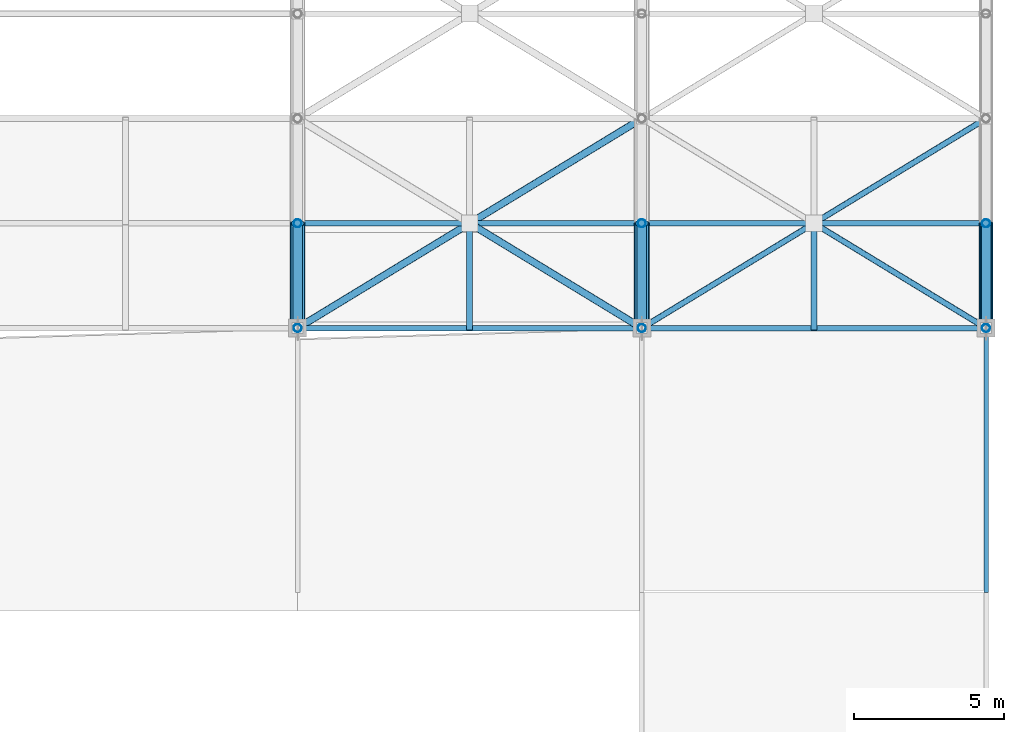
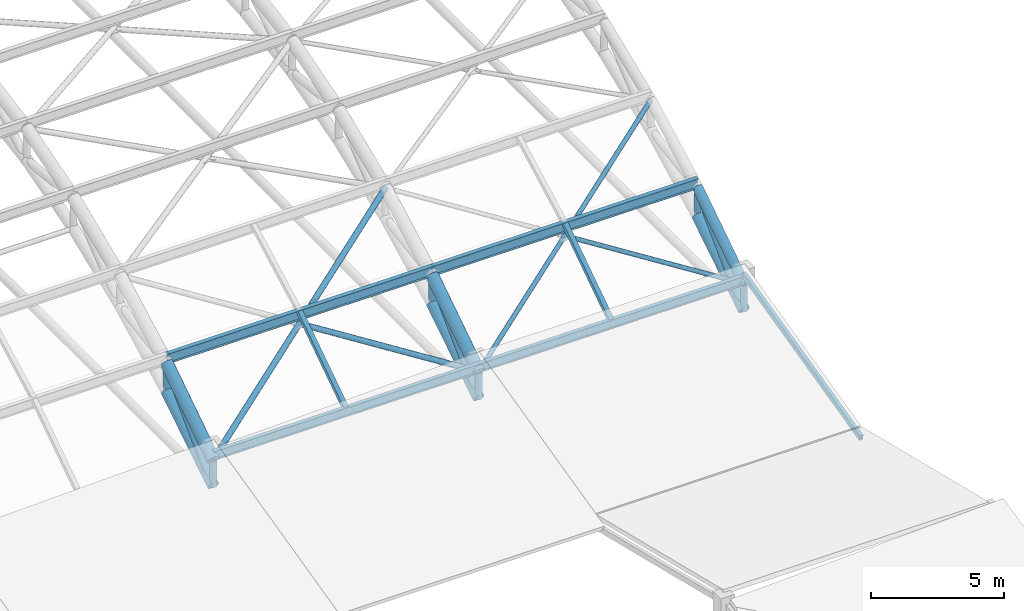
# One storey, part 96 of 154: 26 members.
"""IFC4 building model written with IfcOpenShell, lengths in metres."""

from ifc_helpers import new_model, si_unit, direction, frame, origin, origin_2d, place, context, subcontext, project, spatial, hollow_rectangle, hollow_circle, i_section, extrude, material, material_profile, profile_set, type_object, element, save


model = new_model("IFC4")

# Units and contexts
model_context = context("Model", 3, precision=1e-05, world=origin(), true_north=direction((0.0, 1.0)))
body_context = subcontext(model_context, "Body", "Model", "MODEL_VIEW")
ifc_project = project(units=[si_unit("LENGTHUNIT", "METRE"), si_unit("AREAUNIT", "SQUARE_METRE"), si_unit("VOLUMEUNIT", "CUBIC_METRE"), si_unit("PLANEANGLEUNIT", "RADIAN"), si_unit("MASSUNIT", "GRAM", prefix="KILO")], contexts=[model_context])

# Site, building, storey
site_placement = place(None, origin())
site = spatial("IfcSite", under=ifc_project, at=site_placement, CompositionType="ELEMENT")
building_placement = place(site_placement, origin())
building = spatial("IfcBuilding", under=site, at=building_placement, Name="Ologun Quay Terminus", CompositionType="ELEMENT")
storey_placement = place(building_placement, frame((0.0, 0.0, 13.800048828125)))
storey = spatial("IfcBuildingStorey", under=building, at=storey_placement, Name="L03", CompositionType="ELEMENT", Elevation=13.800048828125)

# Members
ifc_material_1 = material(Name="Steel S355", Category="steel")
ifc_material_profile_1 = material_profile(ifc_material_1, hollow_circle(Radius=0.136474609375, WallThickness=0.010009765625, at=origin_2d()), Name="CHS 273x10")
ifc_profile_set_1 = profile_set([ifc_material_profile_1], Name="Steel S355")
member_type_1 = type_object("IfcMemberType", Name="Arch Truss Vertical Post CHS273", PredefinedType="STRUT", material=ifc_profile_set_1)
member_1_placement = place(storey_placement, frame((161.0, 36.0, 0.0), z_axis=(0.0, 0.0, 1.0), x_axis=(1.0, 0.0, 0.0)))
element("IfcMember", 1, at=member_1_placement, inside=storey, type_object=member_type_1, Name="AW2 Arch Web Post 15-N0", PredefinedType="STRUT", context=body_context, shape_type="SweptSolid", body=[
    extrude(hollow_circle(Radius=0.136474609375, WallThickness=0.010009765625, at=origin_2d()), origin(), (0.0, 0.0, 1.0), 1.199951171875),
])
member_2_placement = place(storey_placement, frame((161.0, 39.5, 2.212158203125), z_axis=(0.0, 0.0, 1.0), x_axis=(1.0, 0.0, 0.0)))
element("IfcMember", 2, at=member_2_placement, inside=storey, type_object=member_type_1, Name="AW2 Arch Web Post 15-N1", PredefinedType="STRUT", context=body_context, shape_type="SweptSolid", body=[
    extrude(hollow_circle(Radius=0.136474609375, WallThickness=0.010009765625, at=origin_2d()), origin(), (0.0, 0.0, 1.0), 1.28564453125),
])
member_3_placement = place(storey_placement, frame((172.5, 36.0, 0.0), z_axis=(0.0, 0.0, 1.0), x_axis=(1.0, 0.0, 0.0)))
element("IfcMember", 3, at=member_3_placement, inside=storey, type_object=member_type_1, Name="AW2 Arch Web Post 16-N0", PredefinedType="STRUT", context=body_context, shape_type="SweptSolid", body=[
    extrude(hollow_circle(Radius=0.136474609375, WallThickness=0.010009765625, at=origin_2d()), origin(), (0.0, 0.0, 1.0), 1.199951171875),
])
member_4_placement = place(storey_placement, frame((172.5, 39.5, 2.212158203125), z_axis=(0.0, 0.0, 1.0), x_axis=(1.0, 0.0, 0.0)))
element("IfcMember", 4, at=member_4_placement, inside=storey, type_object=member_type_1, Name="AW2 Arch Web Post 16-N1", PredefinedType="STRUT", context=body_context, shape_type="SweptSolid", body=[
    extrude(hollow_circle(Radius=0.136474609375, WallThickness=0.010009765625, at=origin_2d()), origin(), (0.0, 0.0, 1.0), 1.28564453125),
])
member_5_placement = place(storey_placement, frame((184.0, 36.0, 0.0), z_axis=(0.0, 0.0, 1.0), x_axis=(1.0, 0.0, 0.0)))
element("IfcMember", 5, at=member_5_placement, inside=storey, type_object=member_type_1, Name="AW2 Arch Web Post 17-N0", PredefinedType="STRUT", context=body_context, shape_type="SweptSolid", body=[
    extrude(hollow_circle(Radius=0.136474609375, WallThickness=0.010009765625, at=origin_2d()), origin(), (0.0, 0.0, 1.0), 1.199951171875),
])
member_6_placement = place(storey_placement, frame((184.0, 39.5, 2.212158203125), z_axis=(0.0, 0.0, 1.0), x_axis=(1.0, 0.0, 0.0)))
element("IfcMember", 6, at=member_6_placement, inside=storey, type_object=member_type_1, Name="AW2 Arch Web Post 17-N1", PredefinedType="STRUT", context=body_context, shape_type="SweptSolid", body=[
    extrude(hollow_circle(Radius=0.136474609375, WallThickness=0.010009765625, at=origin_2d()), origin(), (0.0, 0.0, 1.0), 1.28564453125),
])
ifc_material_2 = material(Name="Steel S355", Category="steel")
ifc_material_profile_2 = material_profile(ifc_material_2, hollow_circle(Radius=0.161865234375, WallThickness=0.010009765625, at=origin_2d()), Name="CHS 323.9x10")
ifc_profile_set_2 = profile_set([ifc_material_profile_2], Name="Steel S355")
member_type_2 = type_object("IfcMemberType", Name="Arch Truss Web Diagonal CHS323", PredefinedType="BRACE", material=ifc_profile_set_2)
for number, where, z_axis, x_axis, name in (
    (7, (161.0, 36.0, 0.0), (0.0, 0.707328773357, 0.706884719301), (-1.0, 0.0, 0.0), "AW1 Arch Web Diagonal 15-P1"),
    (8, (172.5, 36.0, 0.0), (0.0, 0.707328773357, 0.706884719301), (-1.0, 0.0, 0.0), "AW1 Arch Web Diagonal 16-P1"),
    (9, (184.0, 36.0, 0.0), (0.0, 0.707328773357, 0.706884719301), (-1.0, 0.0, 0.0), "AW1 Arch Web Diagonal 17-P1"),
):
    element("IfcMember", number, at=place(storey_placement, frame(where, z_axis=z_axis, x_axis=x_axis)), inside=storey, type_object=member_type_2, Name=name, PredefinedType="BRACE", context=body_context, shape_type="SweptSolid", body=[
        extrude(hollow_circle(Radius=0.161865234375, WallThickness=0.010009765625, at=origin_2d()), origin(), (0.0, 0.0, 1.0), 4.9482421875),
    ])
ifc_material_3 = material(Name="Steel S355", Category="steel")
ifc_material_profile_3 = material_profile(ifc_material_3, hollow_circle(Radius=0.203125, WallThickness=0.012451171875, at=origin_2d()), Name="CHS 406.4x12.5")
ifc_profile_set_3 = profile_set([ifc_material_profile_3], Name="Steel S355")
member_type_3 = type_object("IfcMemberType", Name="Gable End Arch Chord CHS406", PredefinedType="CHORD", material=ifc_profile_set_3)
member_7_placement = place(storey_placement, frame((184.0, 36.0, 1.199951171875), z_axis=(0.0, 0.835940905918, 0.548819461949), x_axis=(-1.0, 0.0, 0.0)))
element("IfcMember", 10, at=member_7_placement, inside=storey, type_object=member_type_3, Name="Arch Top Chord 17-P1", PredefinedType="CHORD", context=body_context, shape_type="SweptSolid", body=[
    extrude(hollow_circle(Radius=0.203125, WallThickness=0.012451171875, at=origin_2d()), origin(), (0.0, 0.0, 1.0), 4.18701171875),
])
ifc_material_4 = material(Name="Steel S355", Category="steel")
ifc_material_profile_4 = material_profile(ifc_material_4, hollow_circle(Radius=0.096923828125, WallThickness=0.00634765625, at=origin_2d()), Name="CHS 193.7x6.3")
ifc_profile_set_4 = profile_set([ifc_material_profile_4], Name="Steel S355")
member_type_4 = type_object("IfcMemberType", Name="Gable Portal Wind Brace CHS193", PredefinedType="BRACE", material=ifc_profile_set_4)
member_8_placement = place(storey_placement, frame((172.5, 36.0, 1.199951171875), z_axis=(0.815821451603, 0.496586970541, 0.296372636715), x_axis=(-0.519946946896, 0.854198555614, 0.0)))
element("IfcMember", 11, at=member_8_placement, inside=storey, type_object=member_type_4, Name="Roof Wind Brace A B16-K0", PredefinedType="BRACE", context=body_context, shape_type="SweptSolid", body=[
    extrude(hollow_circle(Radius=0.096923828125, WallThickness=0.00634765625, at=origin_2d()), origin(), (0.0, 0.0, 1.0), 14.09619140625),
])
member_9_placement = place(storey_placement, frame((178.3642578125, 39.430419921875, 3.247314453125), z_axis=(0.815823185614, -0.496583416265, -0.29637381886), x_axis=(0.51994342513, 0.854200699288, 0.0)))
element("IfcMember", 12, at=member_9_placement, inside=storey, type_object=member_type_4, Name="Roof Wind Brace B2 B16-K0", PredefinedType="BRACE", context=body_context, shape_type="SweptSolid", body=[
    extrude(hollow_circle(Radius=0.096923828125, WallThickness=0.00634765625, at=origin_2d()), origin(), (0.0, 0.0, 1.0), 6.907958984375),
])
ifc_material_5 = material(Name="Steel S355", Category="steel")
ifc_material_profile_5 = material_profile(ifc_material_5, hollow_circle(Radius=0.228515625, WallThickness=0.01611328125, at=origin_2d()), Name="CHS 457x16")
ifc_profile_set_5 = profile_set([ifc_material_profile_5], Name="Steel S355")
member_type_5 = type_object("IfcMemberType", Name="Parabolic Arch Bottom Chord CHS457", PredefinedType="CHORD", material=ifc_profile_set_5)
for number, where, z_axis, x_axis, name in (
    (13, (161.0, 36.0, 0.0), (0.0, 0.845310912611, 0.534274705578), (-1.0, 0.0, 0.0), "AC2 Arch Bottom Chord 15-P1"),
    (14, (172.5, 36.0, 0.0), (0.0, 0.845310912611, 0.534274705578), (-1.0, 0.0, 0.0), "AC2 Arch Bottom Chord 16-P1"),
    (15, (184.0, 36.0, 0.0), (0.0, 0.845310912611, 0.534274705578), (-1.0, 0.0, 0.0), "AC2 Arch Bottom Chord 17-P1"),
):
    element("IfcMember", number, at=place(storey_placement, frame(where, z_axis=z_axis, x_axis=x_axis)), inside=storey, type_object=member_type_5, Name=name, PredefinedType="CHORD", context=body_context, shape_type="SweptSolid", body=[
        extrude(hollow_circle(Radius=0.228515625, WallThickness=0.01611328125, at=origin_2d()), origin(), (0.0, 0.0, 1.0), 4.140380859375),
    ])
ifc_material_6 = material(Name="Steel S355", Category="steel")
ifc_material_profile_6 = material_profile(ifc_material_6, hollow_circle(Radius=0.25390625, WallThickness=0.01611328125, at=origin_2d()), Name="CHS 508x16")
ifc_profile_set_6 = profile_set([ifc_material_profile_6], Name="Steel S355")
member_type_6 = type_object("IfcMemberType", Name="Parabolic Arch Top Chord CHS508", PredefinedType="CHORD", material=ifc_profile_set_6)
for number, where, z_axis, x_axis, name in (
    (16, (161.0, 36.0, 1.199951171875), (0.0, 0.835940905918, 0.548819461949), (-1.0, 0.0, 0.0), "Arch Top Chord 15-P1"),
    (17, (172.5, 36.0, 1.199951171875), (0.0, 0.835940905918, 0.548819461949), (-1.0, 0.0, 0.0), "Arch Top Chord 16-P1"),
):
    element("IfcMember", number, at=place(storey_placement, frame(where, z_axis=z_axis, x_axis=x_axis)), inside=storey, type_object=member_type_6, Name=name, PredefinedType="CHORD", context=body_context, shape_type="SweptSolid", body=[
        extrude(hollow_circle(Radius=0.25390625, WallThickness=0.01611328125, at=origin_2d()), origin(), (0.0, 0.0, 1.0), 4.18701171875),
    ])
ifc_material_7 = material(Name="Steel S355", Category="steel")
ifc_material_profile_7 = material_profile(ifc_material_7, hollow_circle(Radius=0.122314453125, WallThickness=0.008056640625, at=origin_2d()), Name="CHS 244.5x8")
ifc_profile_set_7 = profile_set([ifc_material_profile_7], Name="Steel S355")
member_type_7 = type_object("IfcMemberType", Name="Roof Plan Wind Brace Primary CHS244", PredefinedType="BRACE", material=ifc_profile_set_7)
member_10_placement = place(storey_placement, frame((161.0, 36.0, 1.199951171875), z_axis=(0.815821451603, 0.496586970541, 0.296372636715), x_axis=(-0.519946946896, 0.854198555614, 0.0)))
element("IfcMember", 18, at=member_10_placement, inside=storey, type_object=member_type_7, Name="Roof Wind Brace A B15-K0", PredefinedType="BRACE", context=body_context, shape_type="SweptSolid", body=[
    extrude(hollow_circle(Radius=0.122314453125, WallThickness=0.008056640625, at=origin_2d()), origin(), (0.0, 0.0, 1.0), 14.09619140625),
])
member_11_placement = place(storey_placement, frame((166.8642578125, 39.430419921875, 3.247314453125), z_axis=(0.815823185614, -0.496583416265, -0.29637381886), x_axis=(0.51994342513, 0.854200699288, 0.0)))
element("IfcMember", 19, at=member_11_placement, inside=storey, type_object=member_type_7, Name="Roof Wind Brace B2 B15-K0", PredefinedType="BRACE", context=body_context, shape_type="SweptSolid", body=[
    extrude(hollow_circle(Radius=0.122314453125, WallThickness=0.008056640625, at=origin_2d()), origin(), (0.0, 0.0, 1.0), 6.907958984375),
])
ifc_material_8 = material(Name="Steel S355", Category="steel")
ifc_material_profile_8 = material_profile(ifc_material_8, hollow_rectangle(XDim=0.199951171875, YDim=0.199951171875, WallThickness=0.008056640625, at=origin_2d()), Name="SHS 200x200x8")
ifc_profile_set_8 = profile_set([ifc_material_profile_8], Name="Steel S355")
member_type_8 = type_object("IfcMemberType", Name="Skylight Cross Transom Bar RHS150", PredefinedType="STRUT", material=ifc_profile_set_8)
for number, where, z_axis, x_axis, name in (
    (20, (166.75, 36.0, 1.50341796875), (0.0, 0.830398014247, 0.55717065423), (-1.0, 0.0, 0.0), "SK2 Eave Secondary Rafter B15-P1"),
    (21, (178.25, 36.0, 1.50341796875), (0.0, 0.830398014247, 0.55717065423), (-1.0, 0.0, 0.0), "SK2 Eave Secondary Rafter B16-P1"),
):
    element("IfcMember", number, at=place(storey_placement, frame(where, z_axis=z_axis, x_axis=x_axis)), inside=storey, type_object=member_type_8, Name=name, PredefinedType="STRUT", context=body_context, shape_type="SweptSolid", body=[
        extrude(hollow_rectangle(XDim=0.199951171875, YDim=0.199951171875, WallThickness=0.008056640625, at=origin_2d()), origin(), (0.0, 0.0, 1.0), 4.21484375),
    ])
ifc_material_9 = material(Name="Steel S355", Category="steel")
ifc_material_profile_9 = material_profile(ifc_material_9, hollow_rectangle(XDim=0.14990234375, YDim=0.25, WallThickness=0.008056640625, at=origin_2d()), Name="RHS 250x150x8")
ifc_profile_set_9 = profile_set([ifc_material_profile_9], Name="Steel S355")
member_type_9 = type_object("IfcMemberType", Name="Skylight Longitudinal Glazing Bar RHS200", PredefinedType="PURLIN", material=ifc_profile_set_9)
member_12_placement = place(storey_placement, frame((184.0, 27.199951171875, -0.5224609375), z_axis=(0.0, 0.971430080393, 0.237325933914), x_axis=(-1.0, 0.0, 0.0)))
element("IfcMember", 22, at=member_12_placement, inside=storey, type_object=member_type_9, Name="SK1 Inclined Roof Rafter L03-SE-17-DE", PredefinedType="PURLIN", context=body_context, shape_type="SweptSolid", body=[
    extrude(hollow_rectangle(XDim=0.14990234375, YDim=0.25, WallThickness=0.008056640625, at=origin_2d()), origin(), (0.0, 0.0, 1.0), 9.058837890625),
])
ifc_material_10 = material(Name="Steel S355", Category="steel")
ifc_material_profile_10 = material_profile(ifc_material_10, i_section(OverallWidth=0.177978515625, OverallDepth=0.406494140625, WebThickness=0.0078125, FlangeThickness=0.0126953125, at=origin_2d()), Name="UKB 406x178x60")
ifc_profile_set_10 = profile_set([ifc_material_profile_10], Name="Steel S355")
member_type_10 = type_object("IfcMemberType", Name="Train Shed Eave & Ridge Purlin UKB406", PredefinedType="PURLIN", material=ifc_profile_set_10)
for number, where, z_axis, x_axis, name in (
    (23, (161.0, 36.0, 1.403076171875), (1.0, 0.0, 0.0), (0.0, 1.0, 0.0), "PR2 Roof Purlin B15-N0"),
    (24, (172.5, 36.0, 1.403076171875), (1.0, 0.0, 0.0), (0.0, 1.0, 0.0), "PR2 Roof Purlin B16-N0"),
):
    element("IfcMember", number, at=place(storey_placement, frame(where, z_axis=z_axis, x_axis=x_axis)), inside=storey, type_object=member_type_10, Name=name, PredefinedType="PURLIN", context=body_context, shape_type="SweptSolid", body=[
        extrude(i_section(OverallWidth=0.177978515625, OverallDepth=0.406494140625, WebThickness=0.0078125, FlangeThickness=0.0126953125, at=origin_2d()), origin(), (0.0, 0.0, 1.0), 11.5),
    ])
ifc_material_11 = material(Name="Steel S355", Category="steel")
ifc_material_profile_11 = material_profile(ifc_material_11, i_section(OverallWidth=0.1904296875, OverallDepth=0.45703125, WebThickness=0.009033203125, FlangeThickness=0.014404296875, at=origin_2d()), Name="UKB 457x191x74")
ifc_profile_set_11 = profile_set([ifc_material_profile_11], Name="Steel S355")
member_type_11 = type_object("IfcMemberType", Name="Train Shed Primary Roof Purlin UKB457", PredefinedType="PURLIN", material=ifc_profile_set_11)
for number, where, z_axis, x_axis, name in (
    (25, (161.0, 39.5, 3.726318359375), (1.0, 0.0, 0.0), (0.0, 1.0, 0.0), "PR1 Roof Purlin B15-N1"),
    (26, (172.5, 39.5, 3.726318359375), (1.0, 0.0, 0.0), (0.0, 1.0, 0.0), "PR1 Roof Purlin B16-N1"),
):
    element("IfcMember", number, at=place(storey_placement, frame(where, z_axis=z_axis, x_axis=x_axis)), inside=storey, type_object=member_type_11, Name=name, PredefinedType="PURLIN", context=body_context, shape_type="SweptSolid", body=[
        extrude(i_section(OverallWidth=0.1904296875, OverallDepth=0.45703125, WebThickness=0.009033203125, FlangeThickness=0.014404296875, at=origin_2d()), origin(), (0.0, 0.0, 1.0), 11.5),
    ])

save(model, "model.ifc")
